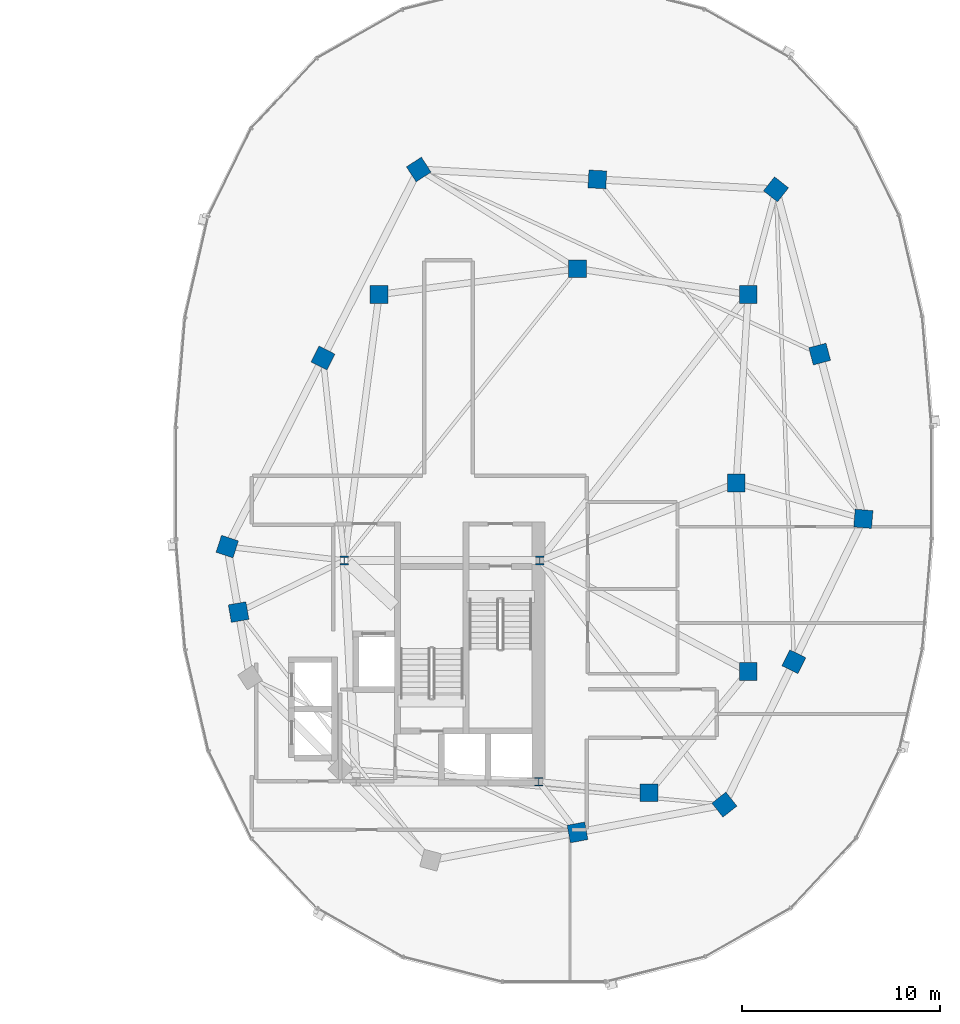
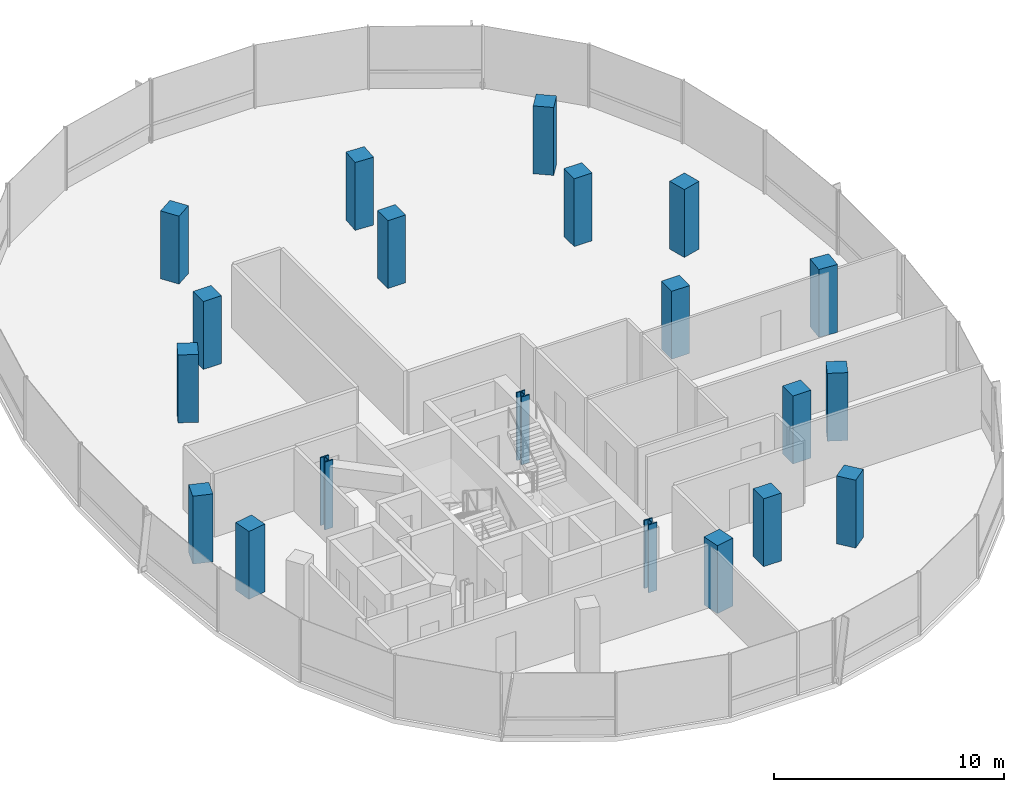
# One storey, part 2 of 25: 20 columns.
"""IFC4 building model written with IfcOpenShell, lengths in metres."""

from ifc_helpers import new_model, si_unit, direction, frame, origin, origin_2d, place, context, subcontext, project, spatial, rectangle, i_section, extrude, material, material_profile, profile_set, type_object, element, save


model = new_model("IFC4")

# Units and contexts
model_context = context("Model", 3, precision=1e-05, world=origin(), true_north=direction((0.0, 1.0)))
body_context = subcontext(model_context, "Body", "Model", "MODEL_VIEW")
ifc_project = project(units=[si_unit("LENGTHUNIT", "METRE"), si_unit("AREAUNIT", "SQUARE_METRE"), si_unit("VOLUMEUNIT", "CUBIC_METRE"), si_unit("PLANEANGLEUNIT", "RADIAN"), si_unit("MASSUNIT", "GRAM", prefix="KILO"), si_unit("THERMODYNAMICTEMPERATUREUNIT", "KELVIN"), si_unit("POWERUNIT", "WATT")], contexts=[model_context])

# Site, building, storey
site_placement = place(None, origin())
site = spatial("IfcSite", under=ifc_project, at=site_placement, CompositionType="ELEMENT")
building_placement = place(site_placement, origin())
building = spatial("IfcBuilding", under=site, at=building_placement, Name="Cundina Bronze Exchange", CompositionType="ELEMENT")
storey_placement = place(building_placement, frame((0.0, 0.0, 199.0)))
storey = spatial("IfcBuildingStorey", under=building, at=storey_placement, Name="L52", CompositionType="ELEMENT", Elevation=199.0)

# Columns
ifc_material_1 = material(Name="Steel ASTM A992 Grade 50", Category="steel")
ifc_material_profile_1 = material_profile(ifc_material_1, i_section(OverallWidth=0.416015625, OverallDepth=0.446044921875, WebThickness=0.0390625, FlangeThickness=0.062744140625, FilletRadius=0.01806640625, at=origin_2d()), Name="W14X342", Category="steel")
ifc_profile_set_1 = profile_set([ifc_material_profile_1], Name="Steel ASTM A992 Grade 50")
column_type_1 = type_object("IfcColumnType", Name="COL-STL-W14B", PredefinedType="COLUMN", material=ifc_profile_set_1)
for number, where, z_axis, x_axis, name in (
    (1, (31.300048828125, -3.89990234375, 0.0), (0.0, 0.0, 1.0), (1.0, 0.0, 0.0), "L52 Core Anchor Column E1"),
    (2, (21.449951171875, -3.89990234375, 0.0), (0.0, 0.0, 1.0), (1.0, 0.0, 0.0), "L52 Core Anchor Column E2"),
    (3, (31.25, -15.050048828125, 0.0), (0.0, 0.0, 1.0), (1.0, 0.0, 0.0), "L52 Core Anchor Column E4"),
):
    element("IfcColumn", number, at=place(storey_placement, frame(where, z_axis=z_axis, x_axis=x_axis)), inside=storey, type_object=column_type_1, Name=name, PredefinedType="COLUMN", context=body_context, shape_type="SweptSolid", body=[
        extrude(i_section(OverallWidth=0.416015625, OverallDepth=0.446044921875, WebThickness=0.0390625, FlangeThickness=0.062744140625, FilletRadius=0.01806640625, at=origin_2d()), origin(), (0.0, 0.0, 1.0), 3.60009765625),
    ])
ifc_material_2 = material(Name="Concrete C50/60", Category="concrete")
ifc_material_profile_2 = material_profile(ifc_material_2, rectangle(XDim=0.89990234375, YDim=0.89990234375, at=origin_2d()), Name="RC900X900", Category="concrete")
ifc_profile_set_2 = profile_set([ifc_material_profile_2], Name="Concrete C50/60")
column_type_2 = type_object("IfcColumnType", Name="COL-Z4-900", PredefinedType="COLUMN", material=ifc_profile_set_2)
for number, where, z_axis, x_axis, name in (
    (4, (41.199951171875, 0.0, 0.0), (0.0, 0.0, 1.0), (1.0, 0.0, 0.0), "L52 E Inner Ring Column 1"),
    (5, (41.800048828125, -9.5, 0.0), (0.0, 0.0, 1.0), (1.0, 0.0, 0.0), "L52 E Inner Ring Column 2"),
    (6, (36.800048828125, -15.60009765625, 0.0), (0.0, 0.0, 1.0), (1.0, 0.0, 0.0), "L52 E Inner Ring Column 3"),
    (7, (41.800048828125, 9.5, 0.0), (0.0, 0.0, 1.0), (1.0, 0.0, 0.0), "L52 E Inner Ring Column 4"),
    (8, (33.199951171875, 10.800048828125, 0.0), (0.0, 0.0, 1.0), (1.0, 0.0, 0.0), "L52 E Inner Ring Column 5"),
    (9, (23.199951171875, 9.5, 0.0), (0.0, 0.0, 1.0), (1.0, 0.0, 0.0), "L52 E Inner Ring Column 6"),
    (10, (15.550048828125, -3.199951171875, 0.0), (0.0, 0.0, 1.0), (-0.315152163383, -0.949041155016, 0.0), "L52 E Perimeter Column 00"),
    (11, (16.125, -6.5, 0.0), (0.0, 0.0, 1.0), (0.171585221787, -0.985169280715, 0.0), "L52 E Perimeter Column 01"),
    (12, (33.199951171875, -17.60009765625, 0.0), (0.0, 0.0, 1.0), (0.98258037664, 0.185838110843, 0.0), "L52 E Perimeter Column 05"),
    (13, (40.60009765625, -16.199951171875, 0.0), (0.0, 0.0, 1.0), (0.785100778485, 0.619368038909, 0.0), "L52 E Perimeter Column 06"),
    (14, (44.10009765625, -9.0, 0.0), (0.0, 0.0, 1.0), (0.437115766651, 0.899405251566, 0.0), "L52 E Perimeter Column 07"),
    (15, (47.60009765625, -1.800048828125, 0.0), (0.0, 0.0, 1.0), (0.083503921245, 0.996507448611, 0.0), "L52 E Perimeter Column 08"),
    (16, (45.39990234375, 6.5, 0.0), (0.0, 0.0, 1.0), (-0.256289373133, 0.966600102017, 0.0), "L52 E Perimeter Column 09"),
    (17, (43.199951171875, 14.800048828125, 0.0), (0.0, 0.0, 1.0), (-0.786288432137, 0.61785961309, 0.0), "L52 E Perimeter Column 10"),
    (18, (34.199951171875, 15.300048828125, 0.0), (0.0, 0.0, 1.0), (-0.998460188734, 0.055472980025, 0.0), "L52 E Perimeter Column 11"),
    (19, (25.199951171875, 15.800048828125, 0.0), (0.0, 0.0, 1.0), (-0.838099763533, -0.545516989988, 0.0), "L52 E Perimeter Column 12"),
    (20, (20.375, 6.300048828125, 0.0), (0.0, 0.0, 1.0), (-0.452901591366, -0.891560513111, 0.0), "L52 E Perimeter Column 13"),
):
    element("IfcColumn", number, at=place(storey_placement, frame(where, z_axis=z_axis, x_axis=x_axis)), inside=storey, type_object=column_type_2, Name=name, PredefinedType="COLUMN", context=body_context, shape_type="SweptSolid", body=[
        extrude(rectangle(XDim=0.89990234375, YDim=0.89990234375, at=origin_2d()), origin(), (0.0, 0.0, 1.0), 3.60009765625),
    ])

save(model, "model.ifc")
